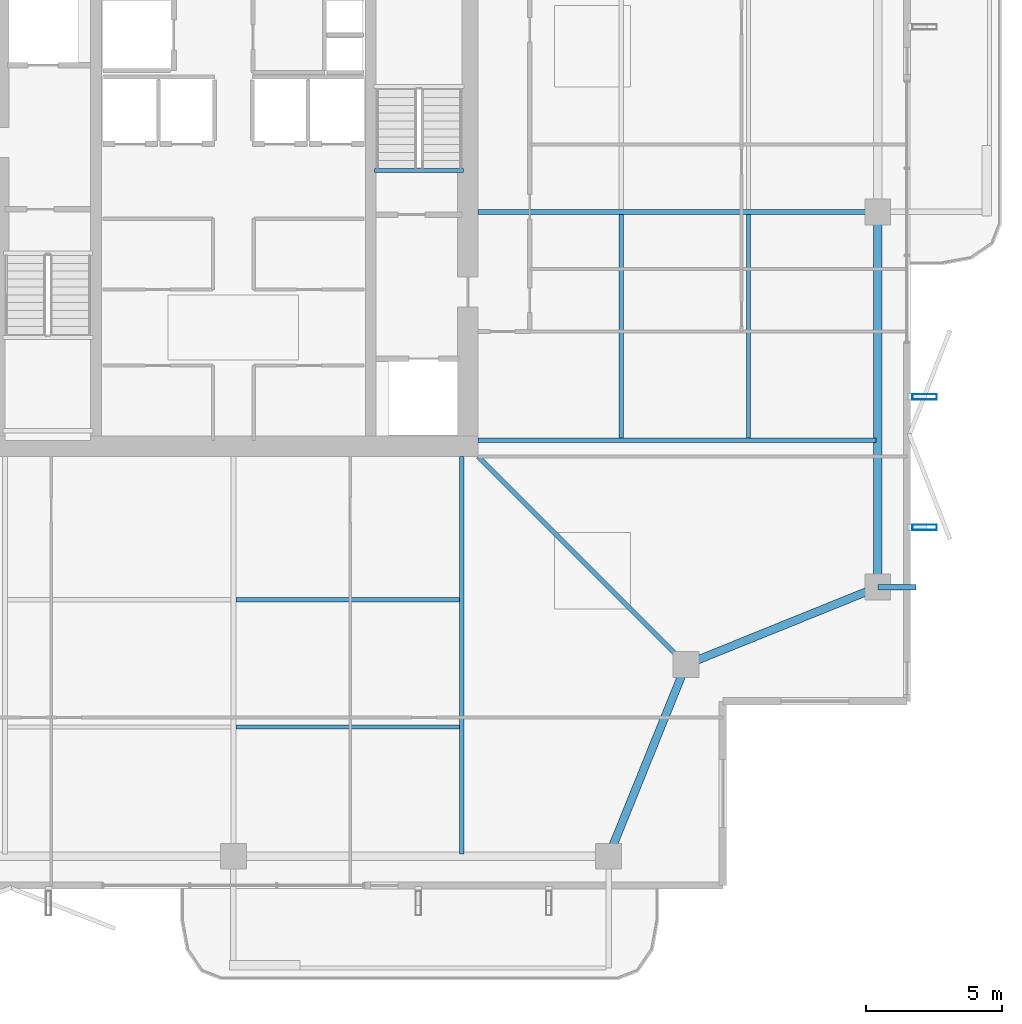
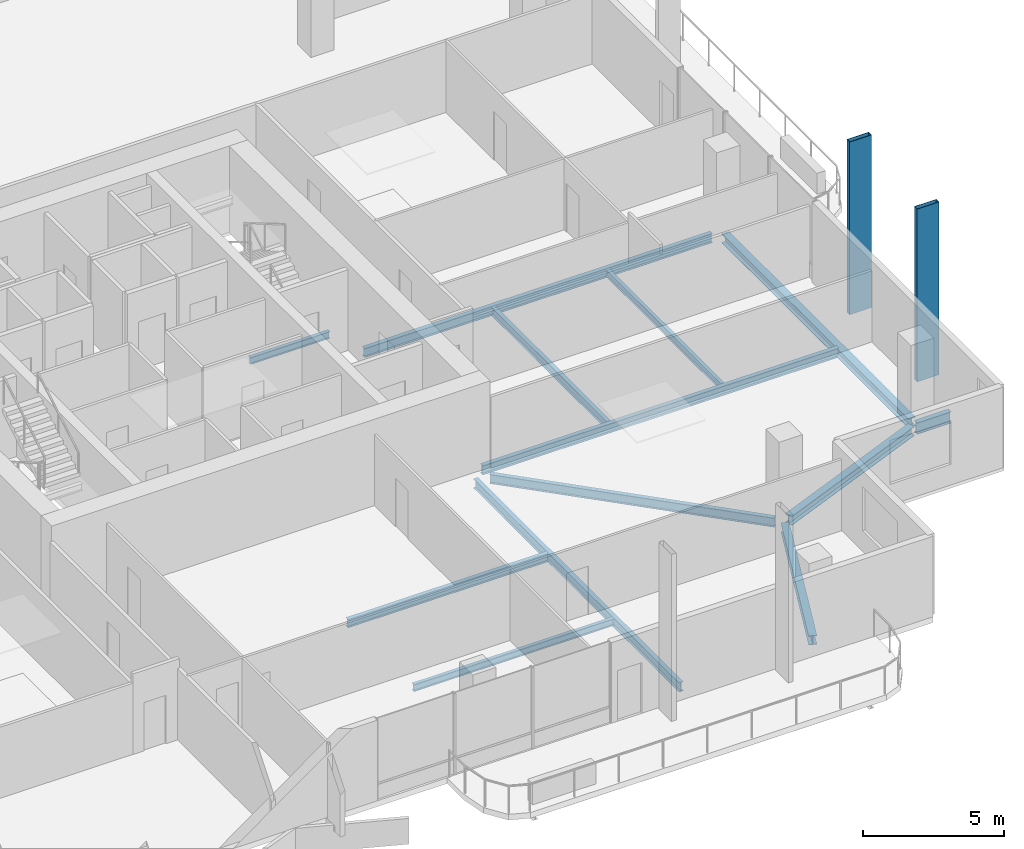
# One storey, part 9 of 25: 13 beams, 2 members.
"""IFC4 building model written with IfcOpenShell, lengths in metres."""

from ifc_helpers import new_model, si_unit, direction, frame, origin, origin_2d, place, context, subcontext, project, spatial, hollow_rectangle, i_section, extrude, material, material_profile, profile_set, type_object, element, save


model = new_model("IFC4")

# Units and contexts
model_context = context("Model", 3, precision=1e-05, world=origin(), true_north=direction((0.0, 1.0)))
body_context = subcontext(model_context, "Body", "Model", "MODEL_VIEW")
ifc_project = project(units=[si_unit("LENGTHUNIT", "METRE"), si_unit("AREAUNIT", "SQUARE_METRE"), si_unit("VOLUMEUNIT", "CUBIC_METRE"), si_unit("PLANEANGLEUNIT", "RADIAN"), si_unit("MASSUNIT", "GRAM", prefix="KILO")], contexts=[model_context])

# Site, building, storey
site_placement = place(None, origin())
site = spatial("IfcSite", under=ifc_project, at=site_placement, CompositionType="ELEMENT")
building_placement = place(site_placement, origin())
building = spatial("IfcBuilding", under=site, at=building_placement, Name="Belovzor Exchange Tower", CompositionType="ELEMENT")
storey_placement = place(building_placement, frame((0.0, 0.0, 250.35009765625)))
storey = spatial("IfcBuildingStorey", under=building, at=storey_placement, Name="L62", CompositionType="ELEMENT", Elevation=250.35009765625)

# Beams
ifc_material_1 = material(Name="Steel S355", Category="steel")
ifc_material_profile_1 = material_profile(ifc_material_1, i_section(OverallWidth=0.199951171875, OverallDepth=0.5, WebThickness=0.01025390625, FlangeThickness=0.01611328125, at=origin_2d()))
ifc_profile_set_1 = profile_set([ifc_material_profile_1], Name="Steel S355")
beam_type_1 = type_object("IfcBeamType", Name="Planted Balcony Cantilever Beam IPE 500", PredefinedType="BEAM", material=ifc_profile_set_1)
beam_1_placement = place(storey_placement, frame((52.5, 15.0, -0.5), z_axis=(1.0, 0.0, 0.0), x_axis=(0.0, 1.0, 0.0)))
element("IfcBeam", 1, at=beam_1_placement, inside=storey, type_object=beam_type_1, Name="BC-500 Planted Balcony Cantilever Beam IPE 500", PredefinedType="BEAM", context=body_context, shape_type="SweptSolid", body=[
    extrude(i_section(OverallWidth=0.199951171875, OverallDepth=0.5, WebThickness=0.01025390625, FlangeThickness=0.01611328125, at=origin_2d()), origin(), (0.0, 0.0, 1.0), 1.39990234375),
])
ifc_material_2 = material(Name="Steel S355", Category="steel")
ifc_material_profile_2 = material_profile(ifc_material_2, i_section(OverallWidth=0.169921875, OverallDepth=0.360107421875, WebThickness=0.008056640625, FlangeThickness=0.0126953125, at=origin_2d()))
ifc_profile_set_2 = profile_set([ifc_material_profile_2], Name="Steel S355")
beam_type_2 = type_object("IfcBeamType", Name="Secondary Infill Floor Joist IPE 360", PredefinedType="BEAM", material=ifc_profile_set_2)
beam_2_placement = place(storey_placement, frame((28.889892578125, 14.534912109375, -0.43017578125), z_axis=(1.0, 0.0, 0.0), x_axis=(0.0, 1.0, 0.0)))
element("IfcBeam", 2, at=beam_2_placement, inside=storey, type_object=beam_type_2, Name="FJ-360 Secondary Infill Floor Joist IPE 360", PredefinedType="BEAM", context=body_context, shape_type="SweptSolid", body=[
    extrude(i_section(OverallWidth=0.169921875, OverallDepth=0.360107421875, WebThickness=0.008056640625, FlangeThickness=0.0126953125, at=origin_2d()), origin(), (0.0, 0.0, 1.0), 8.22021484375),
])
beam_3_placement = place(storey_placement, frame((43.06494140625, 20.489990234375, -0.43017578125), z_axis=(0.0, 1.0, 0.0), x_axis=(-1.0, 0.0, 0.0)))
element("IfcBeam", 3, at=beam_3_placement, inside=storey, type_object=beam_type_2, Name="FJ-360 Secondary Infill Floor Joist IPE 360", PredefinedType="BEAM", context=body_context, shape_type="SweptSolid", body=[
    extrude(i_section(OverallWidth=0.169921875, OverallDepth=0.360107421875, WebThickness=0.008056640625, FlangeThickness=0.0126953125, at=origin_2d()), origin(), (0.0, 0.0, 1.0), 8.219970703125),
])
ifc_material_3 = material(Name="Steel S355", Category="steel")
ifc_material_profile_3 = material_profile(ifc_material_3, i_section(OverallWidth=0.14990234375, OverallDepth=0.300048828125, WebThickness=0.007080078125, FlangeThickness=0.0107421875, at=origin_2d()))
ifc_profile_set_3 = profile_set([ifc_material_profile_3], Name="Steel S355")
beam_type_3 = type_object("IfcBeamType", Name="Secondary Trim Floor Joist IPE 300", PredefinedType="BEAM", material=ifc_profile_set_3)
beam_4_placement = place(storey_placement, frame((37.260009765625, 30.320068359375, -0.400146484375), z_axis=(-1.0, 0.0, 0.0), x_axis=(0.0, -1.0, 0.0)))
element("IfcBeam", 4, at=beam_4_placement, inside=storey, type_object=beam_type_3, Name="FJ-300 Secondary Trim Floor Joist IPE 300", PredefinedType="BEAM", context=body_context, shape_type="SweptSolid", body=[
    extrude(i_section(OverallWidth=0.14990234375, OverallDepth=0.300048828125, WebThickness=0.007080078125, FlangeThickness=0.0107421875, at=origin_2d()), origin(), (0.0, 0.0, 1.0), 3.27001953125),
])
beam_5_placement = place(storey_placement, frame((28.889892578125, 9.85498046875, -0.400146484375), z_axis=(1.0, 0.0, 0.0), x_axis=(0.0, 1.0, 0.0)))
element("IfcBeam", 5, at=beam_5_placement, inside=storey, type_object=beam_type_3, Name="FJ-300 Secondary Trim Floor Joist IPE 300", PredefinedType="BEAM", context=body_context, shape_type="SweptSolid", body=[
    extrude(i_section(OverallWidth=0.14990234375, OverallDepth=0.300048828125, WebThickness=0.007080078125, FlangeThickness=0.0107421875, at=origin_2d()), origin(), (0.0, 0.0, 1.0), 8.22021484375),
])
beam_6_placement = place(storey_placement, frame((47.7451171875, 20.489990234375, -0.400146484375), z_axis=(0.0, 1.0, 0.0), x_axis=(-1.0, 0.0, 0.0)))
element("IfcBeam", 6, at=beam_6_placement, inside=storey, type_object=beam_type_3, Name="FJ-300 Secondary Trim Floor Joist IPE 300", PredefinedType="BEAM", context=body_context, shape_type="SweptSolid", body=[
    extrude(i_section(OverallWidth=0.14990234375, OverallDepth=0.300048828125, WebThickness=0.007080078125, FlangeThickness=0.0107421875, at=origin_2d()), origin(), (0.0, 0.0, 1.0), 8.219970703125),
])

# Members
ifc_material_4 = material(Name="Extruded Architectural Terracotta on Steel S355 Carrier", Category="masonry")
ifc_material_profile_4 = material_profile(ifc_material_4, hollow_rectangle(XDim=0.199951171875, YDim=0.89990234375, WallThickness=0.011962890625, at=origin_2d()))
ifc_profile_set_4 = profile_set([ifc_material_profile_4], Name="Extruded Architectural Terracotta on Steel S355 Carrier")
member_type = type_object("IfcMemberType", Name="Sweeping Terracotta Baguette Fin Assembly 950", PredefinedType="USERDEFINED", material=ifc_profile_set_4)
for number, where, z_axis, x_axis, name in (
    (7, (54.22509765625, 17.199951171875, -0.25), (0.0, 0.0, 1.0), (0.0, 1.0, 0.0), "FIN-TC095 Terracotta Facade Fin L62 E1"),
    (8, (54.22509765625, 22.0, -0.25), (0.0, 0.0, 1.0), (0.0, 1.0, 0.0), "FIN-TC095 Terracotta Facade Fin L62 E2"),
):
    element("IfcMember", number, at=place(storey_placement, frame(where, z_axis=z_axis, x_axis=x_axis)), inside=storey, type_object=member_type, Name=name, ObjectType="FIN", PredefinedType="USERDEFINED", context=body_context, shape_type="SweptSolid", body=[
        extrude(hollow_rectangle(XDim=0.199951171875, YDim=0.89990234375, WallThickness=0.011962890625, at=origin_2d()), origin(), (0.0, 0.0, 1.0), 7.5),
    ])

# Beams
ifc_material_5 = material(Name="Steel S355", Category="steel")
ifc_material_profile_5 = material_profile(ifc_material_5, i_section(OverallWidth=0.300048828125, OverallDepth=0.39990234375, WebThickness=0.013427734375, FlangeThickness=0.02392578125, at=origin_2d()))
ifc_profile_set_5 = profile_set([ifc_material_profile_5], Name="Steel S355")
beam_type_4 = type_object("IfcBeamType", Name="Zone 5 Primary Girder HEB 400", PredefinedType="BEAM", material=ifc_profile_set_5)
beam_7_placement = place(storey_placement, frame((42.697998046875, 5.342041015625, -0.4501953125), z_axis=(0.374758283536, 0.927122553345, 0.0), x_axis=(-0.927122553345, 0.374758283536, 0.0)))
element("IfcBeam", 9, at=beam_7_placement, inside=storey, type_object=beam_type_4, Name="FG-Z5 Zone 5 Primary Girder HEB 400", PredefinedType="BEAM", context=body_context, shape_type="SweptSolid", body=[
    extrude(i_section(OverallWidth=0.300048828125, OverallDepth=0.39990234375, WebThickness=0.013427734375, FlangeThickness=0.02392578125, at=origin_2d()), origin(), (0.0, 0.0, 1.0), 7.08203125),
])
beam_8_placement = place(storey_placement, frame((45.69189453125, 12.248046875, -0.4501953125), z_axis=(0.927127394661, 0.374746306278, 0.0), x_axis=(-0.374746306278, 0.927127394661, 0.0)))
element("IfcBeam", 10, at=beam_8_placement, inside=storey, type_object=beam_type_4, Name="FG-Z5 Zone 5 Primary Girder HEB 400", PredefinedType="BEAM", context=body_context, shape_type="SweptSolid", body=[
    extrude(i_section(OverallWidth=0.300048828125, OverallDepth=0.39990234375, WebThickness=0.013427734375, FlangeThickness=0.02392578125, at=origin_2d()), origin(), (0.0, 0.0, 1.0), 7.082275390625),
])
beam_9_placement = place(storey_placement, frame((52.5, 15.260986328125, -0.4501953125), z_axis=(0.0, 1.0, 0.0), x_axis=(-1.0, 0.0, 0.0)))
element("IfcBeam", 11, at=beam_9_placement, inside=storey, type_object=beam_type_4, Name="FG-Z5 Zone 5 Primary Girder HEB 400", PredefinedType="BEAM", context=body_context, shape_type="SweptSolid", body=[
    extrude(i_section(OverallWidth=0.300048828125, OverallDepth=0.39990234375, WebThickness=0.013427734375, FlangeThickness=0.02392578125, at=origin_2d()), origin(), (0.0, 0.0, 1.0), 13.278076171875),
])
ifc_material_6 = material(Name="Steel S355", Category="steel")
ifc_material_profile_6 = material_profile(ifc_material_6, i_section(OverallWidth=0.179931640625, OverallDepth=0.39990234375, WebThickness=0.008544921875, FlangeThickness=0.013427734375, at=origin_2d()))
ifc_profile_set_6 = profile_set([ifc_material_profile_6], Name="Steel S355")
beam_type_5 = type_object("IfcBeamType", Name="Zone 5-6 Radial Composite Floor Beam IPE 400", PredefinedType="BEAM", material=ifc_profile_set_6)
for number, where, z_axis, x_axis, name in (
    (12, (37.199951171875, 19.800048828125, -0.4501953125), (0.0, -1.0, 0.0), (1.0, 0.0, 0.0), "FB-400 Zone 5-6 Radial Composite Floor Beam IPE 400"),
    (13, (37.800048828125, 20.39990234375, -0.4501953125), (1.0, 0.0, 0.0), (0.0, 1.0, 0.0), "FB-400 Zone 5-6 Radial Composite Floor Beam IPE 400"),
):
    element("IfcBeam", number, at=place(storey_placement, frame(where, z_axis=z_axis, x_axis=x_axis)), inside=storey, type_object=beam_type_5, Name=name, PredefinedType="BEAM", context=body_context, shape_type="SweptSolid", body=[
        extrude(i_section(OverallWidth=0.179931640625, OverallDepth=0.39990234375, WebThickness=0.008544921875, FlangeThickness=0.013427734375, at=origin_2d()), origin(), (0.0, 0.0, 1.0), 14.625),
    ])
beam_10_placement = place(storey_placement, frame((37.800048828125, 28.800048828125, -0.4501953125), z_axis=(1.0, 0.0, 0.0), x_axis=(0.0, 1.0, 0.0)))
element("IfcBeam", 14, at=beam_10_placement, inside=storey, type_object=beam_type_5, Name="FB-400 Zone 5-6 Radial Composite Floor Beam IPE 400", PredefinedType="BEAM", context=body_context, shape_type="SweptSolid", body=[
    extrude(i_section(OverallWidth=0.179931640625, OverallDepth=0.39990234375, WebThickness=0.008544921875, FlangeThickness=0.013427734375, at=origin_2d()), origin(), (0.0, 0.0, 1.0), 14.281982421875),
])
beam_11_placement = place(storey_placement, frame((37.800048828125, 19.800048828125, -0.4501953125), z_axis=(0.707141714703, -0.707071845944, 0.0), x_axis=(0.707071845944, 0.707141714703, 0.0)))
element("IfcBeam", 15, at=beam_11_placement, inside=storey, type_object=beam_type_5, Name="FB-400 Zone 5-6 Radial Composite Floor Beam IPE 400", PredefinedType="BEAM", context=body_context, shape_type="SweptSolid", body=[
    extrude(i_section(OverallWidth=0.179931640625, OverallDepth=0.39990234375, WebThickness=0.008544921875, FlangeThickness=0.013427734375, at=origin_2d()), origin(), (0.0, 0.0, 1.0), 10.48291015625),
])

save(model, "model.ifc")
